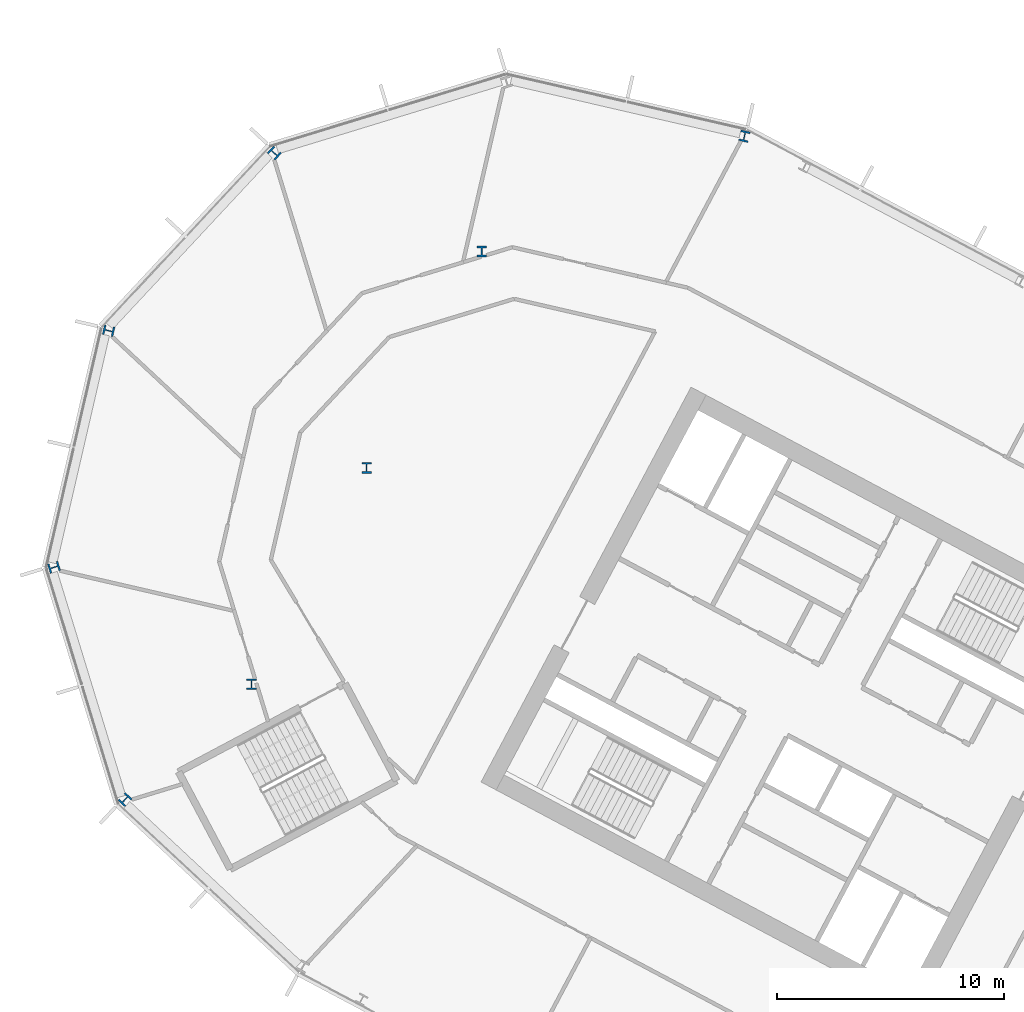
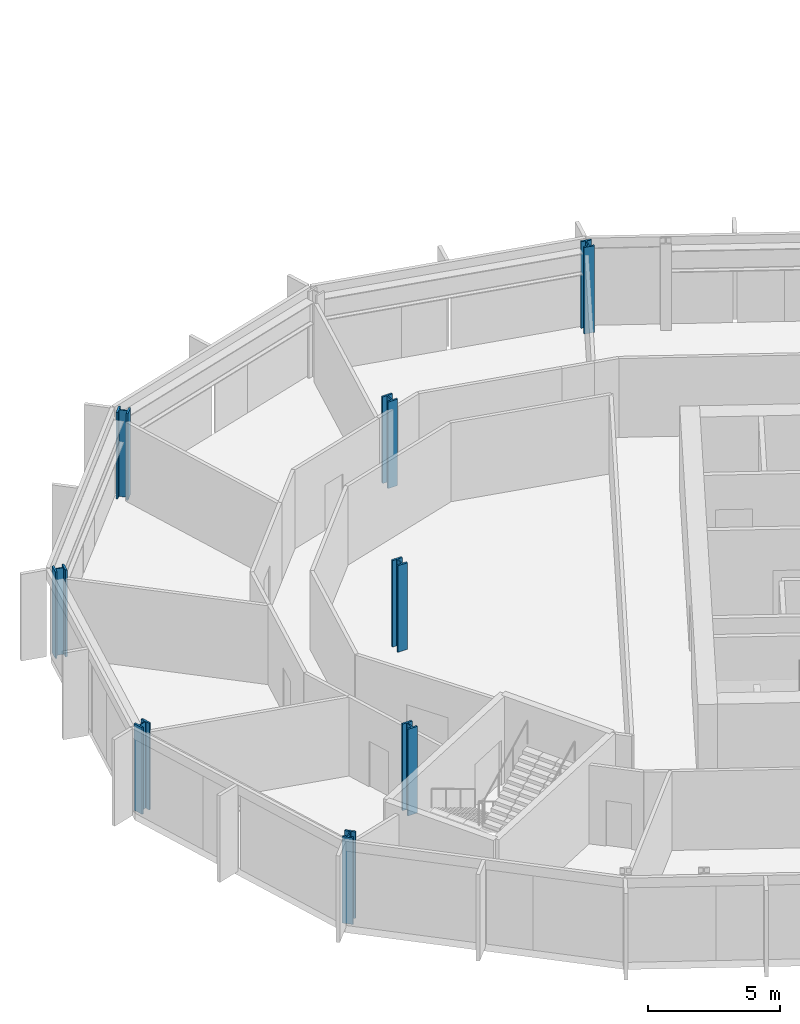
# One storey, part 3 of 28: 8 columns.
"""IFC4 building model written with IfcOpenShell, lengths in metres."""

from ifc_helpers import new_model, si_unit, direction, frame, origin, origin_2d, place, context, subcontext, project, spatial, i_section, extrude, material, material_profile, profile_set, type_object, element, save


model = new_model("IFC4")

# Units and contexts
model_context = context("Model", 3, precision=1e-05, world=origin(), true_north=direction((0.0, 1.0)))
body_context = subcontext(model_context, "Body", "Model", "MODEL_VIEW")
ifc_project = project(units=[si_unit("LENGTHUNIT", "METRE"), si_unit("AREAUNIT", "SQUARE_METRE"), si_unit("VOLUMEUNIT", "CUBIC_METRE"), si_unit("PLANEANGLEUNIT", "RADIAN"), si_unit("MASSUNIT", "GRAM", prefix="KILO")], contexts=[model_context])

# Site, building, storey
site_placement = place(None, origin())
site = spatial("IfcSite", under=ifc_project, at=site_placement, CompositionType="ELEMENT")
building_placement = place(site_placement, origin())
building = spatial("IfcBuilding", under=site, at=building_placement, Name="Cormorant Relay Tower", CompositionType="ELEMENT")
storey_placement = place(building_placement, frame((0.0, 0.0, 142.199951171875)))
storey = spatial("IfcBuildingStorey", under=building, at=storey_placement, Name="L29", CompositionType="ELEMENT", Elevation=142.199951171875)

# Columns
ifc_material = material(Name="Steel ASTM A992 (Fy 345 MPa)", Category="steel")
ifc_material_profile = material_profile(ifc_material, i_section(OverallWidth=0.42431640625, OverallDepth=0.47509765625, WebThickness=0.0478515625, FlangeThickness=0.0771484375, FilletRadius=0.014892578125, at=origin_2d()), Name="W360x634")
ifc_profile_set = profile_set([ifc_material_profile], Name="Steel ASTM A992 (Fy 345 MPa)")
column_type = type_object("IfcColumnType", Name="Column W360x634", PredefinedType="COLUMN", material=ifc_profile_set)
for number, where, z_axis, x_axis, name in (
    (1, (-57.261962890625, 10.173095703125, 0.0), (0.0, 0.0, 1.0), (0.731353701619, -0.681998360062, 0.0), "Column L29-022"),
    (2, (-51.68994140625, 15.251953125, 0.0), (0.0, 0.0, 1.0), (1.0, 0.0, 0.0), "Column L29-028"),
    (3, (-60.389892578125, 20.405029296875, 0.0), (0.0, 0.0, 1.0), (0.292371704723, -0.956304755963, 0.0), "Column L29-030"),
    (4, (-46.6201171875, 24.7880859375, 0.0), (0.0, 0.0, 1.0), (1.0, 0.0, 0.0), "Column L29-033"),
    (5, (-57.98291015625, 30.830078125, 0.0), (0.0, 0.0, 1.0), (-0.224951054344, -0.974370064785, 0.0), "Column L29-037"),
    (6, (-41.549072265625, 34.323974609375, 0.0), (0.0, 0.0, 1.0), (1.0, 0.0, 0.0), "Column L29-041"),
    (7, (-50.68603515625, 38.655029296875, 0.0), (0.0, 0.0, 1.0), (-0.681998360062, -0.731353701619, 0.0), "Column L29-045"),
    (8, (-29.97509765625, 39.39599609375, 0.0), (0.0, 0.0, 1.0), (-0.974370064785, 0.224951054344, 0.0), "Column L29-046"),
):
    element("IfcColumn", number, at=place(storey_placement, frame(where, z_axis=z_axis, x_axis=x_axis)), inside=storey, type_object=column_type, Name=name, PredefinedType="COLUMN", context=body_context, shape_type="SweptSolid", body=[
        extrude(i_section(OverallWidth=0.42431640625, OverallDepth=0.47509765625, WebThickness=0.0478515625, FlangeThickness=0.0771484375, FilletRadius=0.014892578125, at=origin_2d()), origin(), (0.0, 0.0, 1.0), 4.0),
    ])

save(model, "model.ifc")
